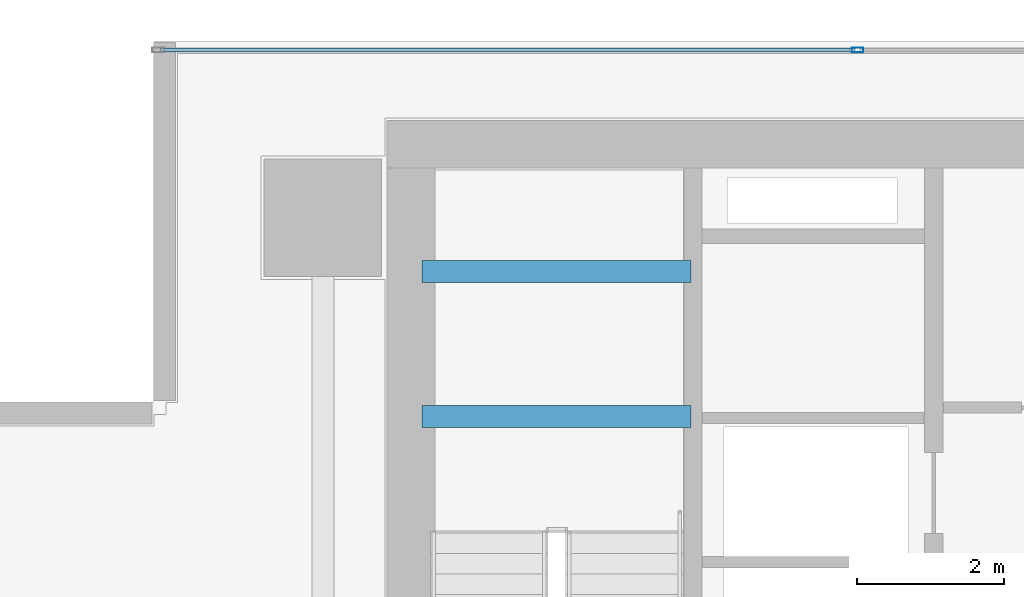
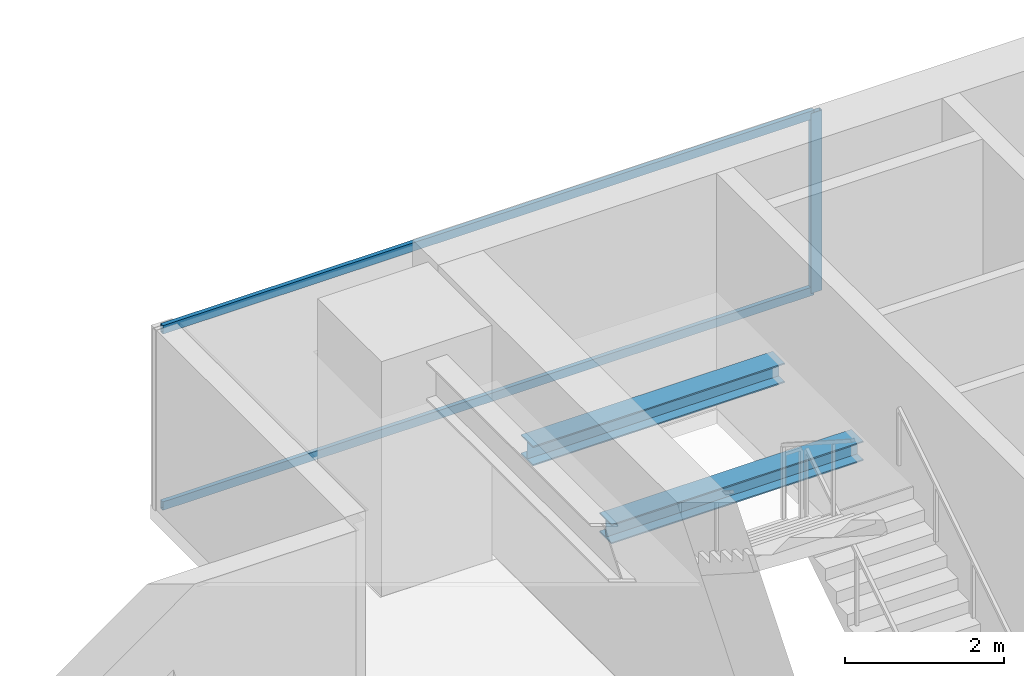
# One storey, part 15 of 27: 3 members, 2 beams, 1 element without a shape of its own.
"""IFC4 building model written with IfcOpenShell, lengths in metres."""

from ifc_helpers import new_model, si_unit, direction, frame, origin, origin_2d, place, context, subcontext, project, spatial, hollow_rectangle, i_section, extrude, source, transform, mapped, material, layer, layer_set, material_profile, profile_set, type_object, element, aggregate, save


model = new_model("IFC4")

# Units and contexts
model_context = context("Model", 3, precision=1e-05, world=origin(), true_north=direction((0.0, 1.0)))
body_context = subcontext(model_context, "Body", "Model", "MODEL_VIEW")
ifc_project = project(units=[si_unit("LENGTHUNIT", "METRE"), si_unit("AREAUNIT", "SQUARE_METRE"), si_unit("VOLUMEUNIT", "CUBIC_METRE"), si_unit("PLANEANGLEUNIT", "RADIAN"), si_unit("MASSUNIT", "GRAM", prefix="KILO")], contexts=[model_context])

# Site, building, storey
site_placement = place(None, origin())
site = spatial("IfcSite", under=ifc_project, at=site_placement, CompositionType="ELEMENT")
building_placement = place(site_placement, origin())
building = spatial("IfcBuilding", under=site, at=building_placement, Name="Sumidabori Civic Tower", CompositionType="ELEMENT")
storey_placement = place(building_placement, frame((0.0, 0.0, 164.0)))
storey = spatial("IfcBuildingStorey", under=building, at=storey_placement, Name="L42", CompositionType="ELEMENT", Elevation=164.0)

# Beams
ifc_material_1 = material(Name="Steel SN490", Category="steel")
ifc_material_profile_1 = material_profile(ifc_material_1, i_section(OverallWidth=0.300048828125, OverallDepth=0.300048828125, WebThickness=0.010986328125, FlangeThickness=0.01904296875, at=origin_2d()), Name="HE 300 B")
ifc_profile_set_1 = profile_set([ifc_material_profile_1], Name="Steel SN490")
beam_type = type_object("IfcBeamType", Name="BM-LDG-300", PredefinedType="BEAM", material=ifc_profile_set_1)
shared_shape_1 = source(origin(), body_context, "Body", "SweptSolid", [
    extrude(i_section(OverallWidth=0.300048828125, OverallDepth=0.300048828125, WebThickness=0.010986328125, FlangeThickness=0.01904296875, at=origin_2d()), origin(), (0.0, 0.0, 1.0), 3.64990234375),
])
for number, where, z_axis, x_axis, name in (
    (1, (-15.449951171875, 20.09765625, 1.449951171875), (1.0, 0.0, 0.0), (0.0, 1.0, 0.0), "Stair ST-1 Landing Support Beam L42-1A"),
    (2, (-15.449951171875, 22.069580078125, 1.449951171875), (1.0, 0.0, 0.0), (0.0, 1.0, 0.0), "Stair ST-1 Landing Trimmer Beam L42-1B"),
):
    element("IfcBeam", number, at=place(storey_placement, frame(where, z_axis=z_axis, x_axis=x_axis)), inside=storey, type_object=beam_type, Name=name, PredefinedType="BEAM", context=body_context, shape_type="MappedRepresentation", body=[
        mapped(shared_shape_1, transform((0.0, 0.0, 0.0), x_axis=(1.0, 0.0, 0.0), y_axis=(0.0, 1.0, 0.0), z_axis=(0.0, 0.0, 1.0), scale=1.0)),
    ])

# Curtain wall, members
ifc_material_2 = material(Name="Anodised Bronze Aluminium AW-6063-T6", Category="aluminium")
ifc_layer = layer(ifc_material_2, 0.179931640625, Name="Anodised Bronze Aluminium AW-6063-T6")
ifc_layer_set = layer_set([ifc_layer], Name="Anodised Bronze Aluminium AW-6063-T6")
curtain_wall_type = type_object("IfcCurtainWallType", Name="CW-SYS-3", PredefinedType="NOTDEFINED", material=ifc_layer_set)
curtain_wall_placement = place(storey_placement, origin())
curtain_wall = element("IfcCurtainWall", 3, at=curtain_wall_placement, inside=storey, type_object=curtain_wall_type, Name="Curtain Wall CW:L42:R07", PredefinedType="NOTDEFINED")
ifc_material_profile_2 = material_profile(ifc_material_2, hollow_rectangle(XDim=0.06494140625, YDim=0.159912109375, WallThickness=0.0048828125, at=origin_2d()), Name="ALU MULLION 160x65")
ifc_profile_set_2 = profile_set([ifc_material_profile_2], Name="Anodised Bronze Aluminium AW-6063-T6")
member_type_1 = type_object("IfcMemberType", Name="CW-MUL-160", PredefinedType="MULLION", material=ifc_profile_set_2)
shared_shape_2 = source(origin(), body_context, "Body", "SweptSolid", [
    extrude(hollow_rectangle(XDim=0.06494140625, YDim=0.159912109375, WallThickness=0.0048828125, at=origin_2d()), origin(), (0.0, 0.0, 1.0), 2.760009765625),
])
member_1_placement = place(storey_placement, frame((-9.534912109375, 25.080078125, 0.0), z_axis=(0.0, 0.0, 1.0), x_axis=(0.0, -1.0, 0.0)))
member_1 = element("IfcMember", 4, at=member_1_placement, type_object=member_type_1, Name="CW-3 mullion 4", PredefinedType="MULLION", context=body_context, shape_type="MappedRepresentation", body=[
    mapped(shared_shape_2, transform((0.0, 0.0, 0.0), x_axis=(1.0, 0.0, 0.0), y_axis=(0.0, 1.0, 0.0), z_axis=(0.0, 0.0, 1.0), scale=1.0)),
])
ifc_material_profile_3 = material_profile(ifc_material_2, hollow_rectangle(XDim=0.06005859375, YDim=0.1298828125, WallThickness=0.0048828125, at=origin_2d()), Name="ALU TRANSOM 130x60")
ifc_profile_set_3 = profile_set([ifc_material_profile_3], Name="Anodised Bronze Aluminium AW-6063-T6")
member_type_2 = type_object("IfcMemberType", Name="CW-TRN-130", PredefinedType="USERDEFINED", material=ifc_profile_set_3)
shared_shape_3 = source(origin(), body_context, "Body", "SweptSolid", [
    extrude(hollow_rectangle(XDim=0.06005859375, YDim=0.1298828125, WallThickness=0.0048828125, at=origin_2d()), origin(), (0.0, 0.0, 1.0), 9.4375),
])
member_2_placement = place(storey_placement, frame((-9.5673828125, 25.080078125, 0.030029296875), z_axis=(-1.0, 0.0, 0.0), x_axis=(0.0, -1.0, 0.0)))
member_2 = element("IfcMember", 5, at=member_2_placement, type_object=member_type_2, Name="CW-3 transom 4.1", ObjectType="TRANSOM", PredefinedType="USERDEFINED", context=body_context, shape_type="MappedRepresentation", body=[
    mapped(shared_shape_3, transform((0.0, 0.0, 0.0), x_axis=(1.0, 0.0, 0.0), y_axis=(0.0, 1.0, 0.0), z_axis=(0.0, 0.0, 1.0), scale=1.0)),
])
member_3_placement = place(storey_placement, frame((-9.5673828125, 25.080078125, 2.72998046875), z_axis=(-1.0, 0.0, 0.0), x_axis=(0.0, -1.0, 0.0)))
member_3 = element("IfcMember", 6, at=member_3_placement, type_object=member_type_2, Name="CW-3 transom 4.2", ObjectType="TRANSOM", PredefinedType="USERDEFINED", context=body_context, shape_type="MappedRepresentation", body=[
    mapped(shared_shape_3, transform((0.0, 0.0, 0.0), x_axis=(1.0, 0.0, 0.0), y_axis=(0.0, 1.0, 0.0), z_axis=(0.0, 0.0, 1.0), scale=1.0)),
])
aggregate(curtain_wall, [member_1, member_2, member_3])

save(model, "model.ifc")
